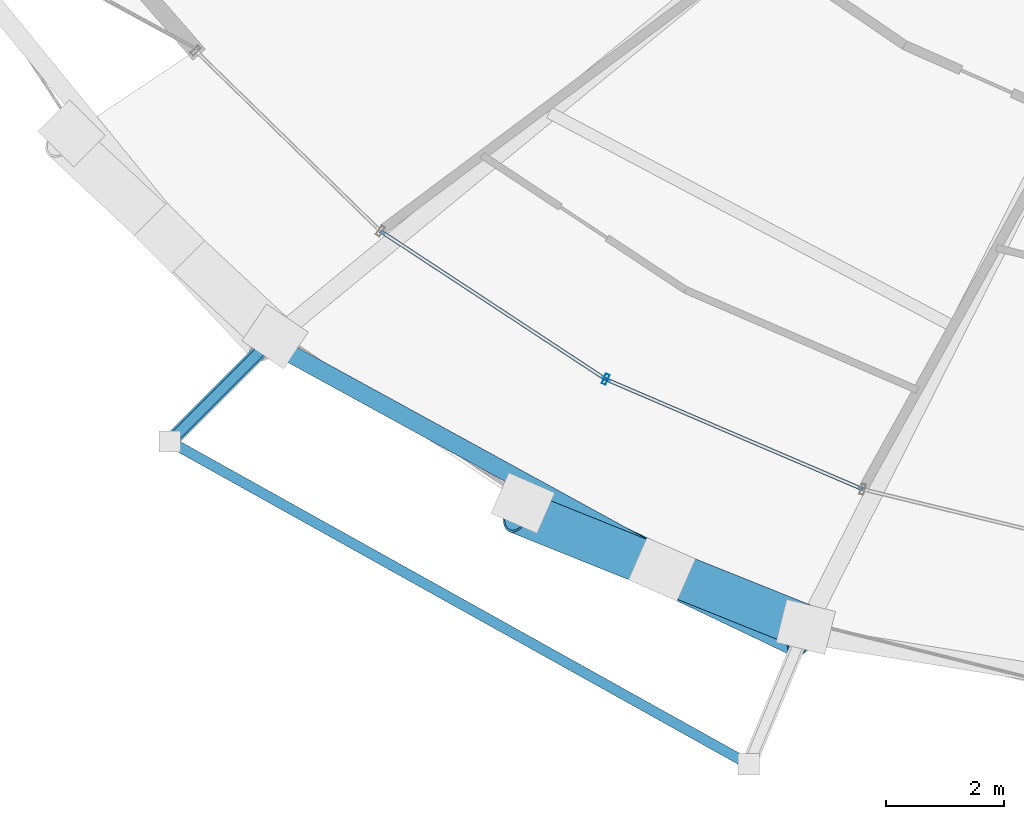
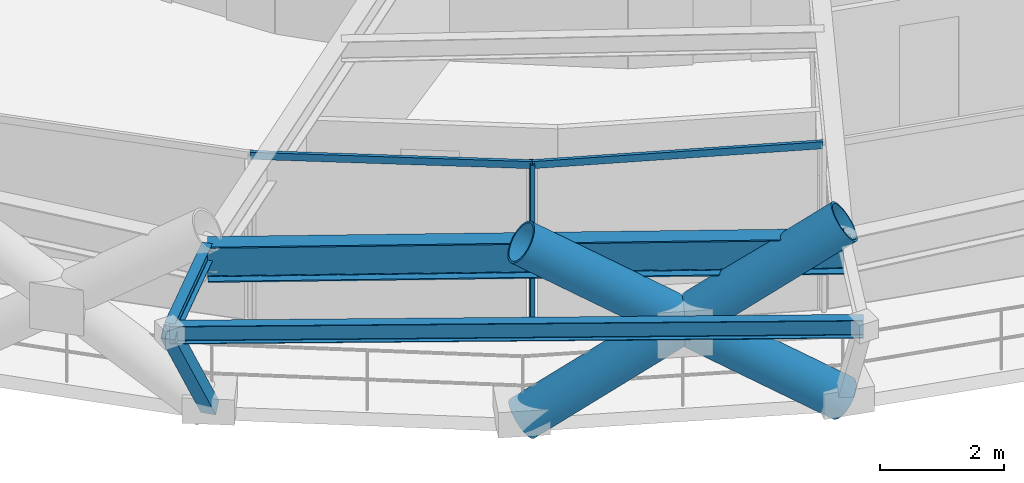
# One storey, part 1 of 19: 7 members, 3 beams, 1 element without a shape of its own.
"""IFC4 building model written with IfcOpenShell, lengths in metres."""

from ifc_helpers import new_model, si_unit, direction, frame, origin, origin_2d, place, context, subcontext, project, spatial, hollow_rectangle, hollow_circle, i_section, extrude, material, layer, layer_set, material_profile, profile_set, type_object, element, aggregate, save


model = new_model("IFC4")

# Units and contexts
model_context = context("Model", 3, precision=1e-05, world=origin(), true_north=direction((0.0, 1.0)))
body_context = subcontext(model_context, "Body", "Model", "MODEL_VIEW")
ifc_project = project(units=[si_unit("LENGTHUNIT", "METRE"), si_unit("AREAUNIT", "SQUARE_METRE"), si_unit("VOLUMEUNIT", "CUBIC_METRE"), si_unit("PLANEANGLEUNIT", "RADIAN"), si_unit("MASSUNIT", "GRAM", prefix="KILO")], contexts=[model_context])

# Site, building, storey
site_placement = place(None, origin())
site = spatial("IfcSite", under=ifc_project, at=site_placement, CompositionType="ELEMENT")
building_placement = place(site_placement, origin())
building = spatial("IfcBuilding", under=site, at=building_placement, Name="Veldorina Hangang Commons", CompositionType="ELEMENT")
storey_placement = place(building_placement, frame((0.0, 0.0, 34.0)))
storey = spatial("IfcBuildingStorey", under=building, at=storey_placement, Name="L07", CompositionType="ELEMENT", Elevation=34.0)

# Beams
ifc_material_1 = material(Name="Steel SM355-TMC", Category="steel")
ifc_material_profile_1 = material_profile(ifc_material_1, i_section(OverallWidth=0.175048828125, OverallDepth=0.35009765625, WebThickness=0.007080078125, FlangeThickness=0.010986328125, FilletRadius=0.012939453125, at=origin_2d()), Name="H-350x175x7x11")
ifc_profile_set_1 = profile_set([ifc_material_profile_1], Name="Steel SM355-TMC")
beam_type_1 = type_object("IfcBeamType", Name="BM-FG350", PredefinedType="BEAM", material=ifc_profile_set_1)
beam_1_placement = place(storey_placement, frame((12.318603515625, 7.85400390625, 3.1650390625), z_axis=(-0.707158722772, -0.707054835785, 0.0), x_axis=(0.707054835785, -0.707158722772, 0.0)))
element("IfcBeam", 1, at=beam_1_placement, inside=storey, type_object=beam_type_1, Name="L08 tree balcony 1 bracket beam A", PredefinedType="BEAM", context=body_context, shape_type="SweptSolid", body=[
    extrude(i_section(OverallWidth=0.175048828125, OverallDepth=0.35009765625, WebThickness=0.007080078125, FlangeThickness=0.010986328125, FilletRadius=0.012939453125, at=origin_2d()), origin(), (0.0, 0.0, 1.0), 2.35009765625),
])
beam_2_placement = place(storey_placement, frame((10.65673828125, 6.1923828125, 3.1650390625), z_axis=(0.873438326624, -0.486934789869, 0.0), x_axis=(0.486934789869, 0.873438326624, 0.0)))
element("IfcBeam", 2, at=beam_2_placement, inside=storey, type_object=beam_type_1, Name="L08 tree balcony 1 outer rim beam", PredefinedType="BEAM", context=body_context, shape_type="SweptSolid", body=[
    extrude(i_section(OverallWidth=0.175048828125, OverallDepth=0.35009765625, WebThickness=0.007080078125, FlangeThickness=0.010986328125, FilletRadius=0.012939453125, at=origin_2d()), origin(), (0.0, 0.0, 1.0), 11.21142578125),
])
ifc_material_2 = material(Name="Steel SM460-TMC", Category="steel")
ifc_material_profile_2 = material_profile(ifc_material_2, i_section(OverallWidth=0.300048828125, OverallDepth=0.699951171875, WebThickness=0.012939453125, FlangeThickness=0.02392578125, FilletRadius=0.02197265625, at=origin_2d()), Name="H-700x300x13x24")
ifc_profile_set_2 = profile_set([ifc_material_profile_2], Name="Steel SM460-TMC")
beam_type_2 = type_object("IfcBeamType", Name="BM-RB700", PredefinedType="BEAM", material=ifc_profile_set_2)
beam_3_placement = place(storey_placement, frame((12.33837890625, 7.8740234375, 2.989990234375), z_axis=(0.876951488045, -0.480578908834, 0.0), x_axis=(0.480578908834, 0.876951488045, 0.0)))
element("IfcBeam", 3, at=beam_3_placement, inside=storey, type_object=beam_type_2, Name="L07 perimeter hoop ring beam 20", PredefinedType="BEAM", context=body_context, shape_type="SweptSolid", body=[
    extrude(i_section(OverallWidth=0.300048828125, OverallDepth=0.699951171875, WebThickness=0.012939453125, FlangeThickness=0.02392578125, FilletRadius=0.02197265625, at=origin_2d()), origin(), (0.0, 0.0, 1.0), 10.286865234375),
])

# Curtain wall, members
ifc_material_3 = material(Name="Glass Low-E Triple IGU", Category="glass")
ifc_layer = layer(ifc_material_3, 0.179931640625)
ifc_layer_set = layer_set([ifc_layer], Name="Glass Low-E Triple IGU")
curtain_wall_type = type_object("IfcCurtainWallType", Name="CW-SYS-Z1", PredefinedType="NOTDEFINED", material=ifc_layer_set)
curtain_wall_placement = place(storey_placement, origin())
curtain_wall = element("IfcCurtainWall", 4, at=curtain_wall_placement, inside=storey, type_object=curtain_wall_type, Name="L07 unitised curtain wall CW-L07-R1", PredefinedType="NOTDEFINED")
ifc_material_4 = material(Name="Aluminium Anodized AA6063-T6", Category="aluminium")
ifc_material_profile_3 = material_profile(ifc_material_4, hollow_rectangle(XDim=0.070068359375, YDim=0.179931640625, WallThickness=0.00390625, at=origin_2d()), Name="ALU-RHS-180x70x4")
ifc_profile_set_3 = profile_set([ifc_material_profile_3], Name="Aluminium Anodized AA6063-T6")
member_type_1 = type_object("IfcMemberType", Name="CW-MUL-180", PredefinedType="MULLION", material=ifc_profile_set_3)
member_1_placement = place(storey_placement, frame((18.028564453125, 7.24755859375, 0.0), z_axis=(0.0, 0.0, 1.0), x_axis=(0.919259054397, -0.393653135273, 0.0)))
member_1 = element("IfcMember", 5, at=member_1_placement, type_object=member_type_1, Name="CW-L07-R1 vertical mullion 3", PredefinedType="MULLION", context=body_context, shape_type="SweptSolid", body=[
    extrude(hollow_rectangle(XDim=0.070068359375, YDim=0.179931640625, WallThickness=0.00390625, at=origin_2d()), origin(), (0.0, 0.0, 1.0), 3.300048828125),
])
ifc_material_profile_4 = material_profile(ifc_material_4, hollow_rectangle(XDim=0.06005859375, YDim=0.139892578125, WallThickness=0.00341796875, at=origin_2d()), Name="ALU-RHS-140x60x3.5")
ifc_profile_set_4 = profile_set([ifc_material_profile_4], Name="Aluminium Anodized AA6063-T6")
member_type_2 = type_object("IfcMemberType", Name="CW-TRN-140", PredefinedType="USERDEFINED", material=ifc_profile_set_4)
member_2_placement = place(storey_placement, frame((14.2177734375, 9.75341796875, 3.260009765625), z_axis=(0.835541893859, -0.549426740891, 0.0), x_axis=(0.549426740891, 0.835541893859, 0.0)))
member_2 = element("IfcMember", 6, at=member_2_placement, type_object=member_type_2, Name="CW-L07-R1 facet 2 transom 1", ObjectType="TRANSOM", PredefinedType="USERDEFINED", context=body_context, shape_type="SweptSolid", body=[
    extrude(hollow_rectangle(XDim=0.06005859375, YDim=0.139892578125, WallThickness=0.00341796875, at=origin_2d()), origin(), (0.0, 0.0, 1.0), 4.560791015625),
])
member_3_placement = place(storey_placement, frame((18.028564453125, 7.24755859375, 3.260009765625), z_axis=(0.91925713377, -0.39365762029, 0.0), x_axis=(0.39365762029, 0.91925713377, 0.0)))
member_3 = element("IfcMember", 7, at=member_3_placement, type_object=member_type_2, Name="CW-L07-R1 facet 3 transom 1", ObjectType="TRANSOM", PredefinedType="USERDEFINED", context=body_context, shape_type="SweptSolid", body=[
    extrude(hollow_rectangle(XDim=0.06005859375, YDim=0.139892578125, WallThickness=0.00341796875, at=origin_2d()), origin(), (0.0, 0.0, 1.0), 4.7294921875),
])
aggregate(curtain_wall, [member_1, member_2, member_3])

# Members
ifc_material_profile_5 = material_profile(ifc_material_2, hollow_circle(Radius=0.375, WallThickness=0.035888671875, at=origin_2d()), Name="CHS-750x36")
ifc_profile_set_5 = profile_set([ifc_material_profile_5], Name="Steel SM460-TMC")
member_type_3 = type_object("IfcMemberType", Name="DG-CHS750", PredefinedType="BRACE", material=ifc_profile_set_5)
member_4_placement = place(storey_placement, frame((16.62841796875, 5.15234375, 0.0), z_axis=(0.743578755077, -0.354154718706, 0.567155243488), x_axis=(0.430002462015, 0.902827714828, 0.0)))
element("IfcMember", 8, at=member_4_placement, inside=storey, type_object=member_type_3, Name="L07 continuous perimeter diagrid brace 21", PredefinedType="BRACE", context=body_context, shape_type="SweptSolid", body=[
    extrude(hollow_circle(Radius=0.375, WallThickness=0.035888671875, at=origin_2d()), origin(), (0.0, 0.0, 1.0), 6.34765625),
])
member_5_placement = place(storey_placement, frame((21.412109375, 3.0576171875, 0.0), z_axis=(-0.765731783411, 0.306846421192, 0.565243407459), x_axis=(-0.371969244487, -0.928245054474, 0.0)))
element("IfcMember", 9, at=member_5_placement, inside=storey, type_object=member_type_3, Name="L07 split perimeter diagrid lower brace 22", PredefinedType="BRACE", context=body_context, shape_type="SweptSolid", body=[
    extrude(hollow_circle(Radius=0.375, WallThickness=0.035888671875, at=origin_2d()), origin(), (0.0, 0.0, 1.0), 3.174560546875),
])
member_6_placement = place(storey_placement, frame((18.981201171875, 4.03173828125, 1.79443359375), z_axis=(-0.765383330671, 0.307636100055, 0.565286110809), x_axis=(-0.372939748129, -0.927855562178, 0.0)))
element("IfcMember", 10, at=member_6_placement, inside=storey, type_object=member_type_3, Name="L07 split perimeter diagrid upper brace 22", PredefinedType="BRACE", context=body_context, shape_type="SweptSolid", body=[
    extrude(hollow_circle(Radius=0.375, WallThickness=0.035888671875, at=origin_2d()), origin(), (0.0, 0.0, 1.0), 3.1943359375),
])
ifc_material_profile_6 = material_profile(ifc_material_1, hollow_rectangle(XDim=0.25, YDim=0.25, WallThickness=0.011962890625, at=origin_2d()), Name="SHS-250x250x12")
ifc_profile_set_6 = profile_set([ifc_material_profile_6], Name="Steel SM355-TMC")
member_type_4 = type_object("IfcMemberType", Name="STR-SHS250", PredefinedType="STRUT", material=ifc_profile_set_6)
member_7_placement = place(storey_placement, frame((12.435791015625, 7.971435546875, 0.0), z_axis=(-0.440010212335, -0.440010212335, 0.782803951243), x_axis=(0.707106781187, -0.707106781187, 0.0)))
element("IfcMember", 11, at=member_7_placement, inside=storey, type_object=member_type_4, Name="L08 tree balcony 1 raking knee strut A", PredefinedType="STRUT", context=body_context, shape_type="SweptSolid", body=[
    extrude(hollow_rectangle(XDim=0.25, YDim=0.25, WallThickness=0.011962890625, at=origin_2d()), origin(), (0.0, 0.0, 1.0), 4.043212890625),
])

save(model, "model.ifc")
